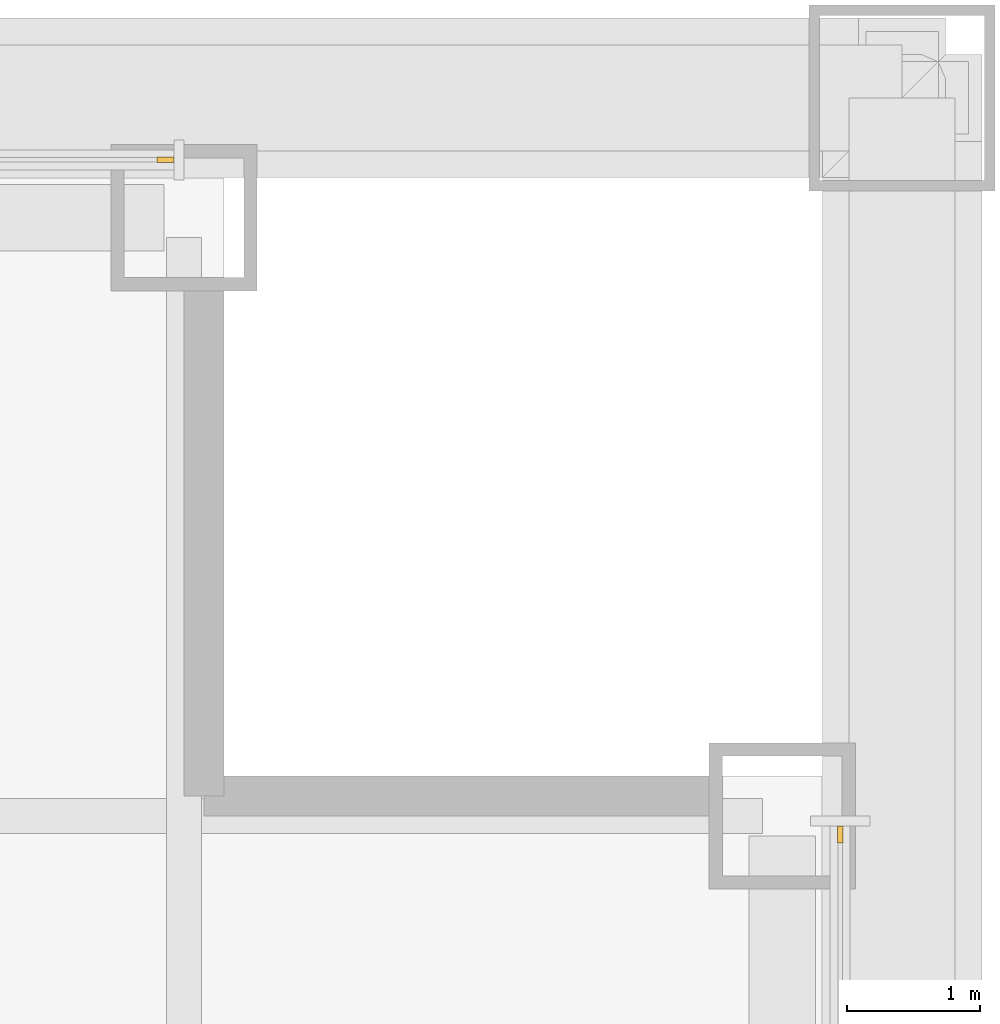
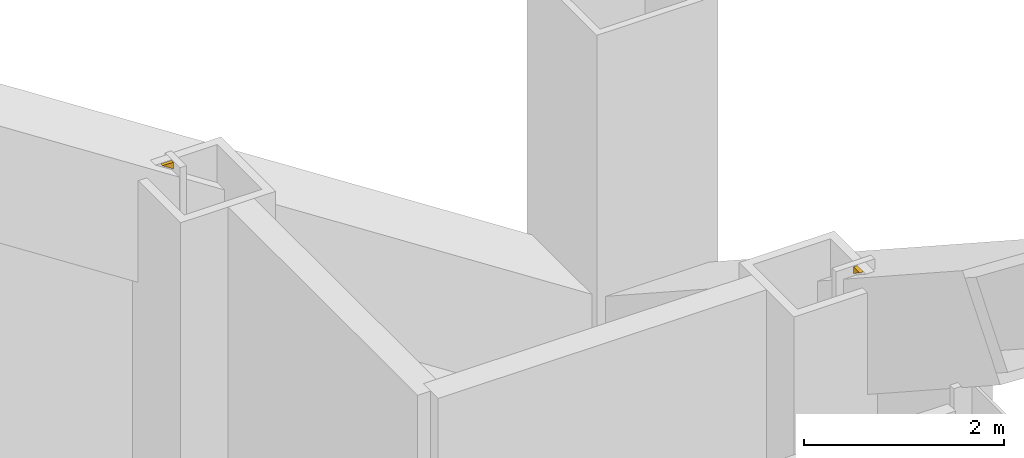
# One storey, part 21 of 21: 2 coverings.
"""IFC4 building model written with IfcOpenShell, lengths in metres."""

from ifc_helpers import new_model, si_unit, direction, frame, origin, place, context, subcontext, project, spatial, polyline, outline, extrude, material, layer, layer_set, type_object, element, save


model = new_model("IFC4")

# Units and contexts
model_context = context("Model", 3, precision=1e-05, world=origin(), true_north=direction((0.0, 1.0)))
body_context = subcontext(model_context, "Body", "Model", "MODEL_VIEW")
ifc_project = project(units=[si_unit("LENGTHUNIT", "METRE"), si_unit("AREAUNIT", "SQUARE_METRE"), si_unit("VOLUMEUNIT", "CUBIC_METRE"), si_unit("PLANEANGLEUNIT", "RADIAN"), si_unit("MASSUNIT", "GRAM", prefix="KILO")], contexts=[model_context])

# Site, building, storey
site_placement = place(None, origin())
site = spatial("IfcSite", under=ifc_project, at=site_placement, CompositionType="ELEMENT")
building_placement = place(site_placement, origin())
building = spatial("IfcBuilding", under=site, at=building_placement, Name="Malebo Sky Hospital", CompositionType="ELEMENT")
storey_placement = place(building_placement, frame((0.0, 0.0, 140.0)))
storey = spatial("IfcBuildingStorey", under=building, at=storey_placement, Name="L33", CompositionType="ELEMENT", Elevation=140.0)

# Coverings
ifc_material = material(Name="Anodised aluminium, natural silver insulated infill panel", Category="aluminium")
ifc_layer = layer(ifc_material, 0.0400390625)
ifc_layer_set = layer_set([ifc_layer], Name="BRACE INFILL PANEL 40")
covering_type = type_object("IfcCoveringType", Name="BRACE INFILL PANEL 40", PredefinedType="CLADDING", material=ifc_layer_set)
covering_1_placement = place(storey_placement, frame((79.0615234375, 86.135009765625, 3.9072265625), z_axis=(0.0, 0.0, 1.0), x_axis=(1.0, 0.0, 0.0)))
element("IfcCovering", 1, at=covering_1_placement, inside=storey, type_object=covering_type, Name="Brace infill panel 16.1", PredefinedType="CLADDING", context=body_context, shape_type="SweptSolid", body=[
    extrude(outline(polyline([(0.0634765625, 0.0), (0.0634765625, 0.082763671875), (-0.063720703125, 0.082763671875), (0.0634765625, 0.0)])), frame((0.0, 0.02001953125, 0.0), z_axis=(0.0, -1.0, 0.0), x_axis=(1.0, 0.0, 0.0)), (0.0, 0.0, 1.0), 0.0400390625),
])
covering_2_placement = place(storey_placement, frame((84.135009765625, 81.0615234375, 3.9072265625), z_axis=(0.0, 0.0, 1.0), x_axis=(0.0, -1.0, 0.0)))
element("IfcCovering", 2, at=covering_2_placement, inside=storey, type_object=covering_type, Name="Brace infill panel 1.1", PredefinedType="CLADDING", context=body_context, shape_type="SweptSolid", body=[
    extrude(outline(polyline([(-0.063720703125, 0.0), (0.063720703125, 0.082763671875), (-0.063720703125, 0.082763671875), (-0.063720703125, 0.0)])), frame((0.0, 0.02001953125, 0.0), z_axis=(0.0, -1.0, 0.0), x_axis=(1.0, 0.0, 0.0)), (0.0, 0.0, 1.0), 0.0400390625),
])

save(model, "model.ifc")
